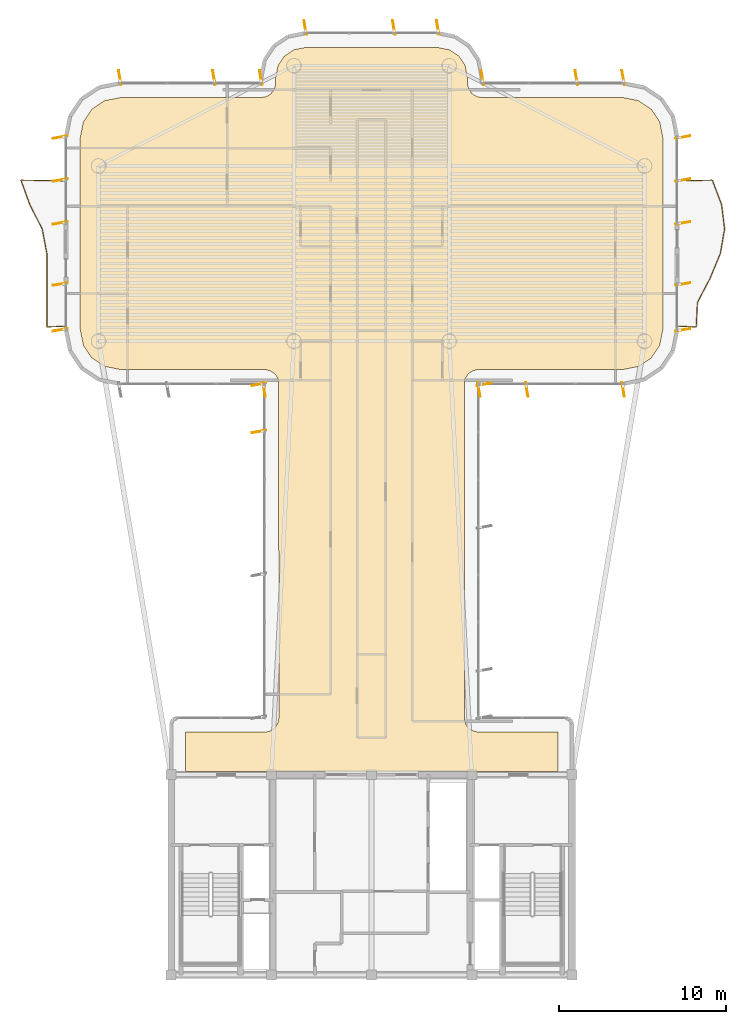
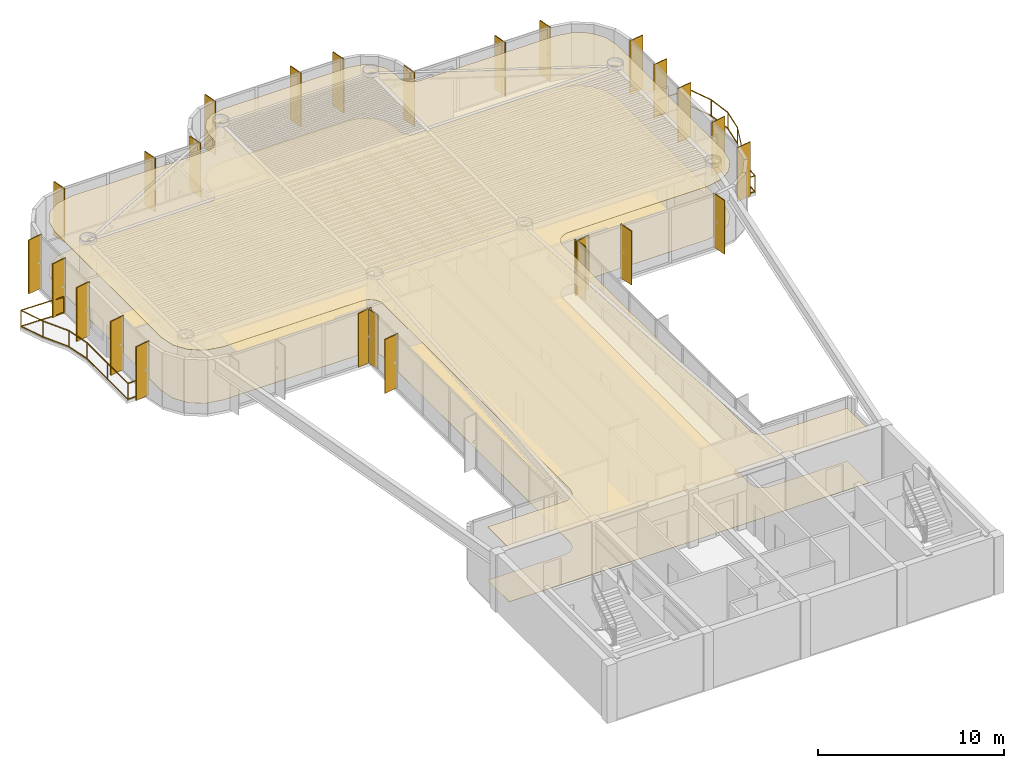
# One storey, part 15 of 15: 26 shading devices, 2 coverings, 2 railings.
"""IFC4 building model written with IfcOpenShell, lengths in metres."""

from ifc_helpers import new_model, si_unit, direction, frame, origin, origin_2d, place, context, subcontext, project, spatial, polyline, rectangle, outline, extrude, source, transform, mapped, material, layer, layer_set, material_profile, profile_set, type_object, element, save


model = new_model("IFC4")

# Units and contexts
model_context = context("Model", 3, precision=1e-05, world=origin(), true_north=direction((0.0, 1.0)))
body_context = subcontext(model_context, "Body", "Model", "MODEL_VIEW")
ifc_project = project(units=[si_unit("LENGTHUNIT", "METRE"), si_unit("AREAUNIT", "SQUARE_METRE"), si_unit("VOLUMEUNIT", "CUBIC_METRE"), si_unit("PLANEANGLEUNIT", "RADIAN"), si_unit("MASSUNIT", "GRAM", prefix="KILO")], contexts=[model_context])

# Site, building, storey
site_placement = place(None, origin())
site = spatial("IfcSite", under=ifc_project, at=site_placement, CompositionType="ELEMENT")
building_placement = place(site_placement, origin())
building = spatial("IfcBuilding", under=site, at=building_placement, Name="Brelvock Crest Care Tower", CompositionType="ELEMENT")
storey_placement = place(building_placement, frame((0.0, 0.0, 272.159912109375)))
storey = spatial("IfcBuildingStorey", under=building, at=storey_placement, Name="L69", CompositionType="ELEMENT", Elevation=272.159912109375)

# Coverings
ifc_material_1 = material(Name="Mineral Fibre Acoustic Ceiling Tile", Category="gypsum")
ifc_layer_1 = layer(ifc_material_1, 0.02490234375, Name="COV-CLG1")
ifc_layer_set_1 = layer_set([ifc_layer_1], Name="Mineral Fibre Acoustic Ceiling Tile")
covering_type_1 = type_object("IfcCoveringType", Name="COV-CLG1", PredefinedType="CEILING", material=ifc_layer_set_1)
covering_1_placement = place(storey_placement, frame((0.0, 0.0, 3.47509765625)))
element("IfcCovering", 1, at=covering_1_placement, inside=storey, type_object=covering_type_1, Name="L69 Acoustic Suspended Ceiling 1", PredefinedType="CEILING", context=body_context, shape_type="SweptSolid", body=[
    extrude(outline(polyline([(24.85009765625, 18.199951171875), (47.14990234375, 18.199951171875), (47.14990234375, 20.550048828125), (42.316650390625, 20.55419921875), (41.999267578125, 20.650390625), (41.799072265625, 20.799072265625), (41.650390625, 20.999267578125), (41.56640625, 21.234130859375), (41.55419921875, 41.4833984375), (41.61474609375, 41.725341796875), (41.799072265625, 42.0009765625), (42.07470703125, 42.185302734375), (42.316650390625, 42.245849609375), (51.016357421875, 42.25), (51.992919921875, 42.4443359375), (52.75, 42.9501953125), (53.255615234375, 43.70703125), (53.449951171875, 44.68359375), (53.449951171875, 56.1162109375), (53.255615234375, 57.093017578125), (52.75, 57.849853515625), (51.992919921875, 58.355712890625), (51.016357421875, 58.550048828125), (42.60009765625, 58.550048828125), (42.353271484375, 58.586669921875), (42.127685546875, 58.693359375), (41.9990234375, 58.799072265625), (41.814697265625, 59.07470703125), (41.754150390625, 59.316650390625), (41.75, 59.71630859375), (41.601318359375, 60.46337890625), (41.2255859375, 61.025634765625), (40.663330078125, 61.4013671875), (39.916259765625, 61.550048828125), (32.083740234375, 61.550048828125), (31.336669921875, 61.4013671875), (30.7744140625, 61.025634765625), (30.398681640625, 60.46337890625), (30.25, 59.71630859375), (30.245849609375, 59.316650390625), (30.185302734375, 59.07470703125), (30.0009765625, 58.799072265625), (29.872314453125, 58.693359375), (29.646728515625, 58.586669921875), (29.39990234375, 58.550048828125), (20.983642578125, 58.550048828125), (20.007080078125, 58.355712890625), (19.25, 57.849853515625), (18.744384765625, 57.093017578125), (18.550048828125, 56.1162109375), (18.550048828125, 44.68359375), (18.744384765625, 43.70703125), (19.25, 42.9501953125), (20.007080078125, 42.4443359375), (20.983642578125, 42.25), (29.683349609375, 42.245849609375), (29.92529296875, 42.185302734375), (30.200927734375, 42.0009765625), (30.349609375, 41.80078125), (30.43359375, 41.56591796875), (30.449951171875, 21.39990234375), (30.413330078125, 21.1533203125), (30.306640625, 20.927734375), (30.13916015625, 20.742919921875), (29.92529296875, 20.61474609375), (29.683349609375, 20.55419921875), (24.85009765625, 20.550048828125), (24.85009765625, 18.199951171875)])), origin(), (0.0, 0.0, 1.0), 0.02490234375),
])
ifc_material_2 = material(Name="Slip-Resistant Acoustic Vinyl Flooring", Category="finish")
ifc_layer_2 = layer(ifc_material_2, 0.014892578125, Name="COV-FLR1")
ifc_layer_set_2 = layer_set([ifc_layer_2], Name="Slip-Resistant Acoustic Vinyl Flooring")
covering_type_2 = type_object("IfcCoveringType", Name="COV-FLR1", PredefinedType="FLOORING", material=ifc_layer_set_2)
covering_2_placement = place(storey_placement, origin())
element("IfcCovering", 2, at=covering_2_placement, inside=storey, type_object=covering_type_2, Name="L69 Slip-Resistant Acoustic Flooring 1", PredefinedType="FLOORING", context=body_context, shape_type="SweptSolid", body=[
    extrude(outline(polyline([(24.85009765625, 18.199951171875), (47.14990234375, 18.199951171875), (47.14990234375, 20.550048828125), (42.316650390625, 20.55419921875), (41.999267578125, 20.650390625), (41.799072265625, 20.799072265625), (41.650390625, 20.999267578125), (41.56640625, 21.234130859375), (41.55419921875, 41.4833984375), (41.61474609375, 41.725341796875), (41.799072265625, 42.0009765625), (42.07470703125, 42.185302734375), (42.316650390625, 42.245849609375), (51.016357421875, 42.25), (51.992919921875, 42.4443359375), (52.75, 42.9501953125), (53.255615234375, 43.70703125), (53.449951171875, 44.68359375), (53.449951171875, 56.1162109375), (53.255615234375, 57.093017578125), (52.75, 57.849853515625), (51.992919921875, 58.355712890625), (51.016357421875, 58.550048828125), (42.60009765625, 58.550048828125), (42.353271484375, 58.586669921875), (42.127685546875, 58.693359375), (41.9990234375, 58.799072265625), (41.814697265625, 59.07470703125), (41.754150390625, 59.316650390625), (41.75, 59.71630859375), (41.601318359375, 60.46337890625), (41.2255859375, 61.025634765625), (40.663330078125, 61.4013671875), (39.916259765625, 61.550048828125), (32.083740234375, 61.550048828125), (31.336669921875, 61.4013671875), (30.7744140625, 61.025634765625), (30.398681640625, 60.46337890625), (30.25, 59.71630859375), (30.245849609375, 59.316650390625), (30.185302734375, 59.07470703125), (30.0009765625, 58.799072265625), (29.872314453125, 58.693359375), (29.646728515625, 58.586669921875), (29.39990234375, 58.550048828125), (20.983642578125, 58.550048828125), (20.007080078125, 58.355712890625), (19.25, 57.849853515625), (18.744384765625, 57.093017578125), (18.550048828125, 56.1162109375), (18.550048828125, 44.68359375), (18.744384765625, 43.70703125), (19.25, 42.9501953125), (20.007080078125, 42.4443359375), (20.983642578125, 42.25), (29.683349609375, 42.245849609375), (29.92529296875, 42.185302734375), (30.200927734375, 42.0009765625), (30.349609375, 41.80078125), (30.43359375, 41.56591796875), (30.449951171875, 21.39990234375), (30.413330078125, 21.1533203125), (30.306640625, 20.927734375), (30.13916015625, 20.742919921875), (29.92529296875, 20.61474609375), (29.683349609375, 20.55419921875), (24.85009765625, 20.550048828125), (24.85009765625, 18.199951171875)])), origin(), (0.0, 0.0, 1.0), 0.01513671875),
])

# Railings
ifc_material_3 = material(Name="Dark Glass Double Glazed Low-E", Category="glass")
ifc_layer_3 = layer(ifc_material_3, 0.06005859375, Name="RL-BAL1")
ifc_layer_set_3 = layer_set([ifc_layer_3], Name="Dark Glass Double Glazed Low-E")
railing_type = type_object("IfcRailingType", Name="RL-BAL1", PredefinedType="BALUSTRADE", material=ifc_layer_set_3)
railing_1_placement = place(storey_placement, frame((17.659912109375, 44.85009765625, 0.004150390625)))
element("IfcRailing", 3, at=railing_1_placement, inside=storey, type_object=railing_type, Name="L69 Safety Balustrade WB-W", PredefinedType="BALUSTRADE", context=body_context, shape_type="SweptSolid", body=[
    extrude(rectangle(XDim=0.048095703125, YDim=0.048095703125, at=origin_2d()), frame((-0.001953125, 0.0, 1.09619140625), z_axis=(-0.998966252902, -0.045457953795, 0.0), x_axis=(0.045457953795, -0.998966252902, 0.0)), (0.0, 0.0, 1.0), 1.096923828125),
    extrude(rectangle(XDim=0.048095703125, YDim=0.048095703125, at=origin_2d()), frame((-0.001953125, 0.0, 0.054931640625), z_axis=(-0.998966252902, -0.045457953795, 0.0), x_axis=(0.045457953795, -0.998966252902, 0.0)), (0.0, 0.0, 1.0), 1.096923828125),
    extrude(rectangle(XDim=0.048095703125, YDim=0.048095703125, at=origin_2d()), frame((-1.099853515625, -0.048095703125, 1.09619140625), z_axis=(0.0, 1.0, 0.0), x_axis=(-1.0, 0.0, 0.0)), (0.0, 0.0, 1.0), 4.39599609375),
    extrude(rectangle(XDim=0.048095703125, YDim=0.048095703125, at=origin_2d()), frame((-1.099853515625, -0.048095703125, 0.054931640625), z_axis=(0.0, 1.0, 0.0), x_axis=(-1.0, 0.0, 0.0)), (0.0, 0.0, 1.0), 4.39599609375),
    extrude(rectangle(XDim=0.048095703125, YDim=0.048095703125, at=origin_2d()), frame((-1.100341796875, 4.351806640625, 1.09619140625), z_axis=(-0.187051999936, 0.982350013651, 0.0), x_axis=(-0.982350013651, -0.187051999936, 0.0)), (0.0, 0.0, 1.0), 1.4892578125),
    extrude(rectangle(XDim=0.048095703125, YDim=0.048095703125, at=origin_2d()), frame((-1.100341796875, 4.351806640625, 0.054931640625), z_axis=(-0.187051999936, 0.982350013651, 0.0), x_axis=(-0.982350013651, -0.187051999936, 0.0)), (0.0, 0.0, 1.0), 1.4892578125),
    extrude(rectangle(XDim=0.048095703125, YDim=0.048095703125, at=origin_2d()), frame((-1.380126953125, 5.818359375, 1.09619140625), z_axis=(-0.453316616849, 0.891349563801, 0.0), x_axis=(-0.891349563801, -0.453316616849, 0.0)), (0.0, 0.0, 1.0), 1.641357421875),
    extrude(rectangle(XDim=0.048095703125, YDim=0.048095703125, at=origin_2d()), frame((-1.380126953125, 5.818359375, 0.054931640625), z_axis=(-0.453316616849, 0.891349563801, 0.0), x_axis=(-0.891349563801, -0.453316616849, 0.0)), (0.0, 0.0, 1.0), 1.641357421875),
    extrude(rectangle(XDim=0.048095703125, YDim=0.048095703125, at=origin_2d()), frame((-2.125732421875, 7.28515625, 1.09619140625), z_axis=(-0.338597458076, 0.940931326604, 0.0), x_axis=(-0.940931326604, -0.338597458076, 0.0)), (0.0, 0.0, 1.0), 1.554931640625),
    extrude(rectangle(XDim=0.048095703125, YDim=0.048095703125, at=origin_2d()), frame((-2.125732421875, 7.28515625, 0.054931640625), z_axis=(-0.338597458076, 0.940931326604, 0.0), x_axis=(-0.940931326604, -0.338597458076, 0.0)), (0.0, 0.0, 1.0), 1.554931640625),
    extrude(rectangle(XDim=0.048095703125, YDim=0.048095703125, at=origin_2d()), frame((-2.65087890625, 8.75, 1.09619140625), z_axis=(0.999822080967, -0.018862831456, 0.0), x_axis=(0.018862831456, 0.999822080967, 0.0)), (0.0, 0.0, 1.0), 2.6494140625),
    extrude(rectangle(XDim=0.048095703125, YDim=0.048095703125, at=origin_2d()), frame((-2.65087890625, 8.75, 0.054931640625), z_axis=(0.999822080967, -0.018862831456, 0.0), x_axis=(0.018862831456, 0.999822080967, 0.0)), (0.0, 0.0, 1.0), 2.6494140625),
    extrude(rectangle(XDim=0.0419921875, YDim=0.0419921875, at=origin_2d()), origin(), (0.0, 0.0, 1.0), 1.070068359375),
    extrude(rectangle(XDim=0.0419921875, YDim=0.0419921875, at=origin_2d()), frame((-1.099853515625, -0.050048828125, 0.0)), (0.0, 0.0, 1.0), 1.070068359375),
    extrude(rectangle(XDim=0.0419921875, YDim=0.0419921875, at=origin_2d()), frame((-1.099853515625, 2.14990234375, 0.0)), (0.0, 0.0, 1.0), 1.070068359375),
    extrude(rectangle(XDim=0.0419921875, YDim=0.0419921875, at=origin_2d()), frame((-1.099853515625, 4.349853515625, 0.0)), (0.0, 0.0, 1.0), 1.070068359375),
    extrude(rectangle(XDim=0.0419921875, YDim=0.0419921875, at=origin_2d()), frame((-1.379150390625, 5.816650390625, 0.0)), (0.0, 0.0, 1.0), 1.070068359375),
    extrude(rectangle(XDim=0.0419921875, YDim=0.0419921875, at=origin_2d()), frame((-2.125, 7.283203125, 0.0)), (0.0, 0.0, 1.0), 1.070068359375),
    extrude(rectangle(XDim=0.0419921875, YDim=0.0419921875, at=origin_2d()), frame((-2.65283203125, 8.75, 0.0)), (0.0, 0.0, 1.0), 1.070068359375),
    extrude(rectangle(XDim=0.0419921875, YDim=0.0419921875, at=origin_2d()), frame((0.0, 8.699951171875, 0.0)), (0.0, 0.0, 1.0), 1.070068359375),
])
railing_2_placement = place(storey_placement, frame((54.340087890625, 44.85009765625, 0.004150390625)))
element("IfcRailing", 4, at=railing_2_placement, inside=storey, type_object=railing_type, Name="L69 Safety Balustrade WB-E", PredefinedType="BALUSTRADE", context=body_context, shape_type="SweptSolid", body=[
    extrude(rectangle(XDim=0.048095703125, YDim=0.048095703125, at=origin_2d()), frame((0.001953125, 0.0, 1.09619140625), z_axis=(0.998966252902, -0.045457953795, 0.0), x_axis=(0.045457953795, 0.998966252902, 0.0)), (0.0, 0.0, 1.0), 1.096923828125),
    extrude(rectangle(XDim=0.048095703125, YDim=0.048095703125, at=origin_2d()), frame((0.001953125, 0.0, 0.054931640625), z_axis=(0.998966252902, -0.045457953795, 0.0), x_axis=(0.045457953795, 0.998966252902, 0.0)), (0.0, 0.0, 1.0), 1.096923828125),
    extrude(rectangle(XDim=0.048095703125, YDim=0.048095703125, at=origin_2d()), frame((1.099853515625, -0.048095703125, 1.09619140625), z_axis=(0.047225425177, 0.998884257167, 0.0), x_axis=(-0.998884257167, 0.047225425177, 0.0)), (0.0, 0.0, 1.0), 1.464111328125),
    extrude(rectangle(XDim=0.048095703125, YDim=0.048095703125, at=origin_2d()), frame((1.099853515625, -0.048095703125, 0.054931640625), z_axis=(0.047225425177, 0.998884257167, 0.0), x_axis=(-0.998884257167, 0.047225425177, 0.0)), (0.0, 0.0, 1.0), 1.464111328125),
    extrude(rectangle(XDim=0.048095703125, YDim=0.048095703125, at=origin_2d()), frame((1.170166015625, 1.418212890625, 1.09619140625), z_axis=(0.462147269358, 0.886803192047, 0.0), x_axis=(-0.886803192047, 0.462147269358, 0.0)), (0.0, 0.0, 1.0), 1.650146484375),
    extrude(rectangle(XDim=0.048095703125, YDim=0.048095703125, at=origin_2d()), frame((1.170166015625, 1.418212890625, 0.054931640625), z_axis=(0.462147269358, 0.886803192047, 0.0), x_axis=(-0.886803192047, 0.462147269358, 0.0)), (0.0, 0.0, 1.0), 1.650146484375),
    extrude(rectangle(XDim=0.048095703125, YDim=0.048095703125, at=origin_2d()), frame((1.934326171875, 2.88525390625, 1.09619140625), z_axis=(0.383184627058, 0.923671771565, 0.0), x_axis=(-0.923671771565, 0.383184627058, 0.0)), (0.0, 0.0, 1.0), 1.583740234375),
    extrude(rectangle(XDim=0.048095703125, YDim=0.048095703125, at=origin_2d()), frame((1.934326171875, 2.88525390625, 0.054931640625), z_axis=(0.383184627058, 0.923671771565, 0.0), x_axis=(-0.923671771565, 0.383184627058, 0.0)), (0.0, 0.0, 1.0), 1.583740234375),
    extrude(rectangle(XDim=0.048095703125, YDim=0.048095703125, at=origin_2d()), frame((2.542236328125, 4.351806640625, 1.09619140625), z_axis=(0.171998497869, 0.985097211818, 0.0), x_axis=(-0.985097211818, 0.171998497869, 0.0)), (0.0, 0.0, 1.0), 1.485107421875),
    extrude(rectangle(XDim=0.048095703125, YDim=0.048095703125, at=origin_2d()), frame((2.542236328125, 4.351806640625, 0.054931640625), z_axis=(0.171998497869, 0.985097211818, 0.0), x_axis=(-0.985097211818, 0.171998497869, 0.0)), (0.0, 0.0, 1.0), 1.485107421875),
    extrude(rectangle(XDim=0.048095703125, YDim=0.048095703125, at=origin_2d()), frame((2.7978515625, 5.818603515625, 1.09619140625), z_axis=(-0.12128867666, 0.992617276151, 0.0), x_axis=(-0.992617276151, -0.12128867666, 0.0)), (0.0, 0.0, 1.0), 1.473388671875),
    extrude(rectangle(XDim=0.048095703125, YDim=0.048095703125, at=origin_2d()), frame((2.7978515625, 5.818603515625, 0.054931640625), z_axis=(-0.12128867666, 0.992617276151, 0.0), x_axis=(-0.992617276151, -0.12128867666, 0.0)), (0.0, 0.0, 1.0), 1.473388671875),
    extrude(rectangle(XDim=0.048095703125, YDim=0.048095703125, at=origin_2d()), frame((2.6181640625, 7.28515625, 1.09619140625), z_axis=(-0.354532248386, 0.935043787667, 0.0), x_axis=(-0.935043787667, -0.354532248386, 0.0)), (0.0, 0.0, 1.0), 1.564697265625),
    extrude(rectangle(XDim=0.048095703125, YDim=0.048095703125, at=origin_2d()), frame((2.6181640625, 7.28515625, 0.054931640625), z_axis=(-0.354532248386, 0.935043787667, 0.0), x_axis=(-0.935043787667, -0.354532248386, 0.0)), (0.0, 0.0, 1.0), 1.564697265625),
    extrude(rectangle(XDim=0.048095703125, YDim=0.048095703125, at=origin_2d()), frame((2.060791015625, 8.75, 1.09619140625), z_axis=(-0.999705777823, -0.024256087638, 0.0), x_axis=(0.024256087638, -0.999705777823, 0.0)), (0.0, 0.0, 1.0), 2.059326171875),
    extrude(rectangle(XDim=0.048095703125, YDim=0.048095703125, at=origin_2d()), frame((2.060791015625, 8.75, 0.054931640625), z_axis=(-0.999705777823, -0.024256087638, 0.0), x_axis=(0.024256087638, -0.999705777823, 0.0)), (0.0, 0.0, 1.0), 2.059326171875),
    extrude(rectangle(XDim=0.0419921875, YDim=0.0419921875, at=origin_2d()), origin(), (0.0, 0.0, 1.0), 1.070068359375),
    extrude(rectangle(XDim=0.0419921875, YDim=0.0419921875, at=origin_2d()), frame((1.099853515625, -0.050048828125, 0.0)), (0.0, 0.0, 1.0), 1.070068359375),
    extrude(rectangle(XDim=0.0419921875, YDim=0.0419921875, at=origin_2d()), frame((1.169189453125, 1.41650390625, 0.0)), (0.0, 0.0, 1.0), 1.070068359375),
    extrude(rectangle(XDim=0.0419921875, YDim=0.0419921875, at=origin_2d()), frame((1.93359375, 2.88330078125, 0.0)), (0.0, 0.0, 1.0), 1.070068359375),
    extrude(rectangle(XDim=0.0419921875, YDim=0.0419921875, at=origin_2d()), frame((2.5419921875, 4.349853515625, 0.0)), (0.0, 0.0, 1.0), 1.070068359375),
    extrude(rectangle(XDim=0.0419921875, YDim=0.0419921875, at=origin_2d()), frame((2.798095703125, 5.816650390625, 0.0)), (0.0, 0.0, 1.0), 1.070068359375),
    extrude(rectangle(XDim=0.0419921875, YDim=0.0419921875, at=origin_2d()), frame((2.618896484375, 7.283203125, 0.0)), (0.0, 0.0, 1.0), 1.070068359375),
    extrude(rectangle(XDim=0.0419921875, YDim=0.0419921875, at=origin_2d()), frame((2.062744140625, 8.75, 0.0)), (0.0, 0.0, 1.0), 1.070068359375),
    extrude(rectangle(XDim=0.0419921875, YDim=0.0419921875, at=origin_2d()), frame((0.0, 8.699951171875, 0.0)), (0.0, 0.0, 1.0), 1.070068359375),
])

# Shading devices
ifc_material_4 = material(Name="Aluminium 6063-T6", Category="aluminium")
ifc_material_profile = material_profile(ifc_material_4, rectangle(XDim=0.054931640625, YDim=0.89990234375, at=origin_2d()), Name="FIN55x900")
ifc_profile_set = profile_set([ifc_material_profile], Name="Aluminium 6063-T6")
shading_device_type = type_object("IfcShadingDeviceType", Name="SHD-FIN1", PredefinedType="USERDEFINED", material=ifc_profile_set)
shared_shape = source(origin(), body_context, "Body", "SweptSolid", [
    extrude(rectangle(XDim=0.054931640625, YDim=0.89990234375, at=origin_2d()), origin(), (0.0, 0.0, 1.0), 3.530029296875),
])
for number, where, z_axis, x_axis, name in (
    (5, (29.260009765625, 38.54296875, 0.0), (0.0, 0.0, 1.0), (-0.173648177667, 0.984807753012, 0.0), "L69 Vertical Sunshade Fin E11-07"),
    (6, (29.260009765625, 41.3701171875, 0.0), (0.0, 0.0, 1.0), (-0.173648177667, 0.984807753012, 0.0), "L69 Vertical Sunshade Fin E11-08"),
    (7, (29.570068359375, 41.06005859375, 0.0), (0.0, 0.0, 1.0), (-0.984807753012, -0.173648177667, 0.0), "L69 Vertical Sunshade Fin E12-01"),
    (8, (17.360107421875, 44.6298828125, 0.0), (0.0, 0.0, 1.0), (-0.173648177667, 0.984807753012, 0.0), "L69 Vertical Sunshade Fin E17A-01"),
    (9, (17.360107421875, 47.3701171875, 0.0), (0.0, 0.0, 1.0), (-0.173648177667, 0.984807753012, 0.0), "L69 Vertical Sunshade Fin E17A-02"),
    (10, (17.360107421875, 51.030029296875, 0.0), (0.0, 0.0, 1.0), (-0.173648177667, 0.984807753012, 0.0), "L69 Vertical Sunshade Fin E17B-01"),
    (11, (17.360107421875, 53.60009765625, 0.0), (0.0, 0.0, 1.0), (-0.173648177667, 0.984807753012, 0.0), "L69 Vertical Sunshade Fin E17B-02"),
    (12, (17.360107421875, 56.169921875, 0.0), (0.0, 0.0, 1.0), (-0.173648177667, 0.984807753012, 0.0), "L69 Vertical Sunshade Fin E17B-03"),
    (13, (20.929931640625, 59.739990234375, 0.0), (0.0, 0.0, 1.0), (0.984807753012, 0.173648177667, 0.0), "L69 Vertical Sunshade Fin E22-01"),
    (14, (26.566650390625, 59.739990234375, 0.0), (0.0, 0.0, 1.0), (0.984807753012, 0.173648177667, 0.0), "L69 Vertical Sunshade Fin E22-03"),
    (15, (29.3701171875, 59.739990234375, 0.0), (0.0, 0.0, 1.0), (0.984807753012, 0.173648177667, 0.0), "L69 Vertical Sunshade Fin E22-04"),
    (16, (32.030029296875, 62.739990234375, 0.0), (0.0, 0.0, 1.0), (0.984807753012, 0.173648177667, 0.0), "L69 Vertical Sunshade Fin E28-01"),
    (17, (37.333251953125, 62.739990234375, 0.0), (0.0, 0.0, 1.0), (0.984807753012, 0.173648177667, 0.0), "L69 Vertical Sunshade Fin E28-03"),
    (18, (39.969970703125, 62.739990234375, 0.0), (0.0, 0.0, 1.0), (0.984807753012, 0.173648177667, 0.0), "L69 Vertical Sunshade Fin E28-04"),
    (19, (42.6298828125, 59.739990234375, 0.0), (0.0, 0.0, 1.0), (0.984807753012, 0.173648177667, 0.0), "L69 Vertical Sunshade Fin E34-01"),
    (20, (48.2666015625, 59.739990234375, 0.0), (0.0, 0.0, 1.0), (0.984807753012, 0.173648177667, 0.0), "L69 Vertical Sunshade Fin E34-03"),
    (21, (51.070068359375, 59.739990234375, 0.0), (0.0, 0.0, 1.0), (0.984807753012, 0.173648177667, 0.0), "L69 Vertical Sunshade Fin E34-04"),
    (22, (54.639892578125, 56.169921875, 0.0), (0.0, 0.0, 1.0), (0.173648177667, -0.984807753012, 0.0), "L69 Vertical Sunshade Fin E39A-01"),
    (23, (54.639892578125, 53.60009765625, 0.0), (0.0, 0.0, 1.0), (0.173648177667, -0.984807753012, 0.0), "L69 Vertical Sunshade Fin E39A-02"),
    (24, (54.639892578125, 51.030029296875, 0.0), (0.0, 0.0, 1.0), (0.173648177667, -0.984807753012, 0.0), "L69 Vertical Sunshade Fin E39A-03"),
    (25, (54.639892578125, 47.3701171875, 0.0), (0.0, 0.0, 1.0), (0.173648177667, -0.984807753012, 0.0), "L69 Vertical Sunshade Fin E39B-01"),
    (26, (54.639892578125, 44.6298828125, 0.0), (0.0, 0.0, 1.0), (0.173648177667, -0.984807753012, 0.0), "L69 Vertical Sunshade Fin E39B-02"),
    (27, (51.070068359375, 41.06005859375, 0.0), (0.0, 0.0, 1.0), (-0.984807753012, -0.173648177667, 0.0), "L69 Vertical Sunshade Fin E44-01"),
    (28, (45.300048828125, 41.06005859375, 0.0), (0.0, 0.0, 1.0), (-0.984807753012, -0.173648177667, 0.0), "L69 Vertical Sunshade Fin E44-03"),
    (29, (42.429931640625, 41.06005859375, 0.0), (0.0, 0.0, 1.0), (-0.984807753012, -0.173648177667, 0.0), "L69 Vertical Sunshade Fin E44-04"),
    (30, (42.739990234375, 41.3701171875, 0.0), (0.0, 0.0, 1.0), (0.173648177667, -0.984807753012, 0.0), "L69 Vertical Sunshade Fin E45-01"),
):
    element("IfcShadingDevice", number, at=place(storey_placement, frame(where, z_axis=z_axis, x_axis=x_axis)), inside=storey, type_object=shading_device_type, Name=name, ObjectType="FIN", PredefinedType="USERDEFINED", context=body_context, shape_type="MappedRepresentation", body=[
        mapped(shared_shape, transform((0.0, 0.0, 0.0), x_axis=(1.0, 0.0, 0.0), y_axis=(0.0, 1.0, 0.0), z_axis=(0.0, 0.0, 1.0), scale=1.0)),
    ])

save(model, "model.ifc")
